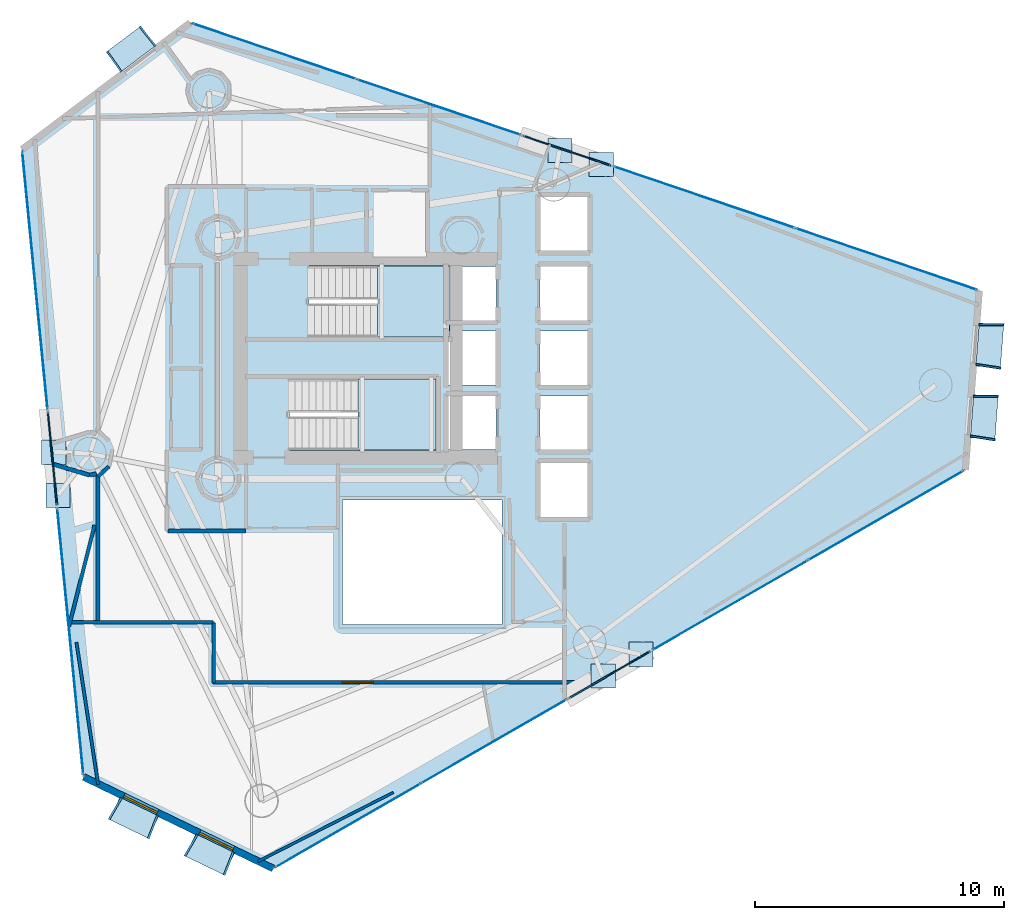
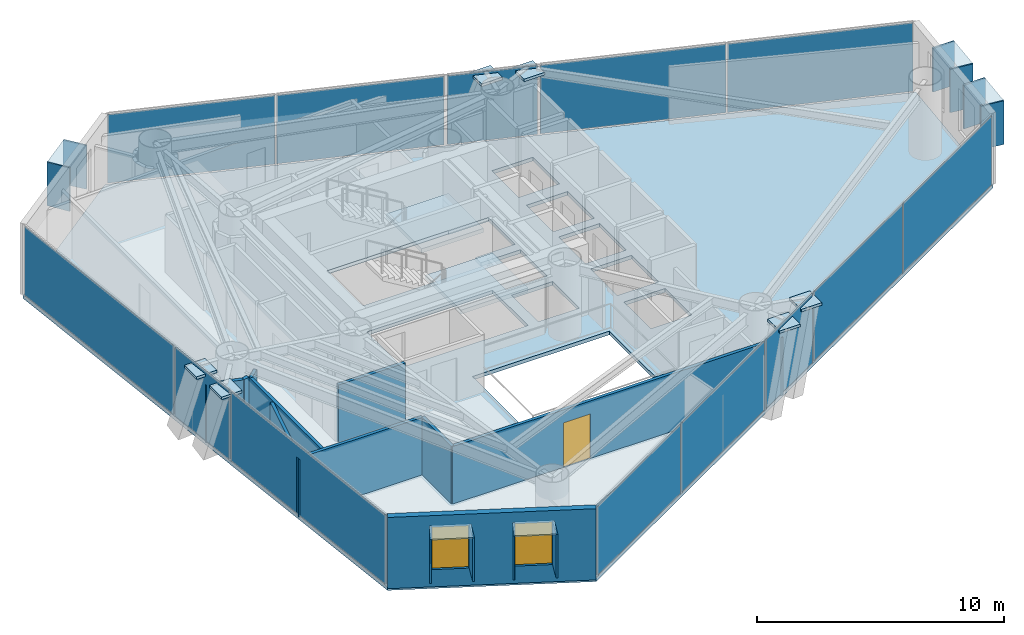
# One storey, part 17 of 22: 34 plates, 12 walls, 3 slabs, 2 windows, 1 door, 3 openings, 11 elements without a shape of their own.
"""IFC4 building model written with IfcOpenShell, lengths in metres."""

from ifc_helpers import new_model, si_unit, direction, frame, frame_2d, origin, origin_2d, place, context, subcontext, project, spatial, polyline, rectangle, outline, extrude, material, layer, layer_set, type_object, element, fill, aggregate, save


model = new_model("IFC4")

# Units and contexts
model_context = context("Model", 3, precision=1e-05, world=origin(), true_north=direction((0.0, 1.0)))
body_context = subcontext(model_context, "Body", "Model", "MODEL_VIEW")
ifc_project = project(units=[si_unit("LENGTHUNIT", "METRE"), si_unit("AREAUNIT", "SQUARE_METRE"), si_unit("VOLUMEUNIT", "CUBIC_METRE"), si_unit("PLANEANGLEUNIT", "RADIAN"), si_unit("MASSUNIT", "GRAM", prefix="KILO")], contexts=[model_context])

# Site, building, storey
site_placement = place(None, origin())
site = spatial("IfcSite", under=ifc_project, at=site_placement, CompositionType="ELEMENT")
building_placement = place(site_placement, origin())
building = spatial("IfcBuilding", under=site, at=building_placement, Name="Qianvela Tower", CompositionType="ELEMENT")
storey_placement = place(building_placement, frame((0.0, 0.0, 169.800048828125)))
storey = spatial("IfcBuildingStorey", under=building, at=storey_placement, Name="L43", CompositionType="ELEMENT", Elevation=169.800048828125)

# Curtain wall, plate
ifc_material_1 = material(Name="Anodised Architectural Aluminium and Insulated Spandrel Panel", Category="aluminium")
ifc_layer_1 = layer(ifc_material_1, 0.179931640625)
ifc_layer_set_1 = layer_set([ifc_layer_1], Name="Anodised Architectural Aluminium and Insulated Spandrel Panel")
curtain_wall_type_1 = type_object("IfcCurtainWallType", Name="CW-BRACEBAY", PredefinedType="USERDEFINED", material=ifc_layer_set_1)
curtain_wall_1_placement = place(storey_placement, origin())
curtain_wall_1 = element("IfcCurtainWall", 1, at=curtain_wall_1_placement, inside=storey, type_object=curtain_wall_type_1, Name="L43 CW-BRACEBAY Curtain Wall 02B", ObjectType="CURTAIN_WALL_SYSTEM", PredefinedType="USERDEFINED")
ifc_material_2 = material(Name="Insulated Aluminium Spandrel Panel with Mineral-Wool Backpan", Category="aluminium")
ifc_layer_2 = layer(ifc_material_2, 0.06005859375)
ifc_layer_set_2 = layer_set([ifc_layer_2], Name="Insulated Aluminium Spandrel Panel with Mineral-Wool Backpan")
plate_type_1 = type_object("IfcPlateType", Name="CW-BRACEBAY-PNL", PredefinedType="CURTAIN_PANEL", material=ifc_layer_set_2)
plate_1_placement = place(storey_placement, frame((42.6220703125, 37.033935546875, 0.06494140625), z_axis=(0.0, 0.0, 1.0), x_axis=(-0.946916144374, 0.321480661196, 0.0)))
plate_1 = element("IfcPlate", 2, at=plate_1_placement, type_object=plate_type_1, Name="CW-9 panel 1.1", PredefinedType="CURTAIN_PANEL", context=body_context, shape_type="SweptSolid", body=[
    extrude(rectangle(XDim=3.7099609375, YDim=0.06005859375, at=origin_2d()), origin(), (0.0, 0.0, 1.0), 3.389892578125),
])
aggregate(curtain_wall_1, [plate_1])

curtain_wall_2_placement = place(storey_placement, origin())
curtain_wall_2 = element("IfcCurtainWall", 3, at=curtain_wall_2_placement, inside=storey, type_object=curtain_wall_type_1, Name="L43 CW-BRACEBAY Curtain Wall 04B", ObjectType="CURTAIN_WALL_SYSTEM", PredefinedType="USERDEFINED")
plate_2_placement = place(storey_placement, frame((21.94482421875, 24.662353515625, 0.06494140625), z_axis=(0.0, 0.0, 1.0), x_axis=(0.097576930003, -0.995227985303, 0.0)))
plate_2 = element("IfcPlate", 4, at=plate_2_placement, type_object=plate_type_1, Name="CW-9 panel 1.1", PredefinedType="CURTAIN_PANEL", context=body_context, shape_type="SweptSolid", body=[
    extrude(rectangle(XDim=3.75, YDim=0.06005859375, at=origin_2d()), origin(), (0.0, 0.0, 1.0), 3.389892578125),
])
aggregate(curtain_wall_2, [plate_2])

curtain_wall_3_placement = place(storey_placement, origin())
curtain_wall_3 = element("IfcCurtainWall", 5, at=curtain_wall_3_placement, inside=storey, type_object=curtain_wall_type_1, Name="L43 CW-BRACEBAY Curtain Wall 06B", ObjectType="CURTAIN_WALL_SYSTEM", PredefinedType="USERDEFINED")
plate_3_placement = place(storey_placement, frame((44.33349609375, 15.978759765625, 0.06494140625), z_axis=(0.0, 0.0, 1.0), x_axis=(0.866442059259, 0.499277636137, 0.0)))
plate_3 = element("IfcPlate", 6, at=plate_3_placement, type_object=plate_type_1, Name="CW-9 panel 1.1", PredefinedType="CURTAIN_PANEL", context=body_context, shape_type="SweptSolid", body=[
    extrude(rectangle(XDim=3.75, YDim=0.06005859375, at=origin_2d()), origin(), (0.0, 0.0, 1.0), 3.389892578125),
])
aggregate(curtain_wall_3, [plate_3])

# Curtain wall, plates
ifc_material_3 = material(Name="Anodised Architectural Aluminium and Low-E Glass", Category="aluminium")
ifc_layer_3 = layer(ifc_material_3, 0.169921875)
ifc_layer_set_3 = layer_set([ifc_layer_3], Name="Anodised Architectural Aluminium and Low-E Glass")
curtain_wall_type_2 = type_object("IfcCurtainWallType", Name="CW-COLIV-Z34", PredefinedType="USERDEFINED", material=ifc_layer_set_3)
curtain_wall_4_placement = place(storey_placement, origin())
curtain_wall_4 = element("IfcCurtainWall", 7, at=curtain_wall_4_placement, inside=storey, type_object=curtain_wall_type_2, Name="L43 CW-COLIV-Z34 Curtain Wall 02A", ObjectType="CURTAIN_WALL_SYSTEM", PredefinedType="USERDEFINED")
ifc_material_4 = material(Name="Double-Silver Low-E Insulated Glass", Category="glass")
ifc_layer_4 = layer(ifc_material_4, 0.028076171875)
ifc_layer_set_4 = layer_set([ifc_layer_4], Name="Double-Silver Low-E Insulated Glass")
plate_type_2 = type_object("IfcPlateType", Name="CW-COLIV-Z34-PNL", PredefinedType="CURTAIN_PANEL", material=ifc_layer_set_4)
plate_4_placement = place(storey_placement, frame((55.44677734375, 32.6796875, 0.06494140625), z_axis=(0.0, 0.0, 1.0), x_axis=(-0.946913531124, 0.321488358379, 0.0)))
plate_4 = element("IfcPlate", 8, at=plate_4_placement, type_object=plate_type_2, Name="CW-4 panel 1.1", PredefinedType="CURTAIN_PANEL", context=body_context, shape_type="SweptSolid", body=[
    extrude(rectangle(XDim=7.66259765625, YDim=0.028076171875, at=origin_2d()), origin(), (0.0, 0.0, 1.0), 3.389892578125),
])
plate_5_placement = place(storey_placement, frame((48.129638671875, 35.1640625, 0.06494140625), z_axis=(0.0, 0.0, 1.0), x_axis=(-0.946913531124, 0.321488358379, 0.0)))
plate_5 = element("IfcPlate", 9, at=plate_5_placement, type_object=plate_type_2, Name="CW-4 panel 2.1", PredefinedType="CURTAIN_PANEL", context=body_context, shape_type="SweptSolid", body=[
    extrude(rectangle(XDim=7.66259765625, YDim=0.028076171875, at=origin_2d()), origin(), (0.0, 0.0, 1.0), 3.389892578125),
])
aggregate(curtain_wall_4, [plate_4, plate_5])

curtain_wall_5_placement = place(storey_placement, origin())
curtain_wall_5 = element("IfcCurtainWall", 10, at=curtain_wall_5_placement, inside=storey, type_object=curtain_wall_type_2, Name="L43 CW-COLIV-Z34 Curtain Wall 02C", ObjectType="CURTAIN_WALL_SYSTEM", PredefinedType="USERDEFINED")
plate_6_placement = place(storey_placement, frame((37.470703125, 38.78271484375, 0.06494140625), z_axis=(0.0, 0.0, 1.0), x_axis=(-0.946914951166, 0.321484175751, 0.0)))
plate_6 = element("IfcPlate", 11, at=plate_6_placement, type_object=plate_type_2, Name="CW-4 panel 1.1", PredefinedType="CURTAIN_PANEL", context=body_context, shape_type="SweptSolid", body=[
    extrude(rectangle(XDim=6.910400390625, YDim=0.028076171875, at=origin_2d()), origin(), (0.0, 0.0, 1.0), 3.389892578125),
])
plate_7_placement = place(storey_placement, frame((30.86572265625, 41.025146484375, 0.06494140625), z_axis=(0.0, 0.0, 1.0), x_axis=(-0.946914951166, 0.321484175751, 0.0)))
plate_7 = element("IfcPlate", 12, at=plate_7_placement, type_object=plate_type_2, Name="CW-4 panel 2.1", PredefinedType="CURTAIN_PANEL", context=body_context, shape_type="SweptSolid", body=[
    extrude(rectangle(XDim=6.910400390625, YDim=0.028076171875, at=origin_2d()), origin(), (0.0, 0.0, 1.0), 3.389892578125),
])
aggregate(curtain_wall_5, [plate_6, plate_7])

# Curtain wall, plate
curtain_wall_6_placement = place(storey_placement, origin())
curtain_wall_6 = element("IfcCurtainWall", 13, at=curtain_wall_6_placement, inside=storey, type_object=curtain_wall_type_2, Name="L43 CW-COLIV-Z34 Curtain Wall 04A", ObjectType="CURTAIN_WALL_SYSTEM", PredefinedType="USERDEFINED")
plate_8_placement = place(storey_placement, frame((21.24365234375, 31.813232421875, 0.06494140625), z_axis=(0.0, 0.0, 1.0), x_axis=(0.09758845694, -0.99522685508, 0.0)))
plate_8 = element("IfcPlate", 14, at=plate_8_placement, type_object=plate_type_2, Name="CW-4 panel 1.1", PredefinedType="CURTAIN_PANEL", context=body_context, shape_type="SweptSolid", body=[
    extrude(rectangle(XDim=10.35986328125, YDim=0.028076171875, at=origin_2d()), origin(), (0.0, 0.0, 1.0), 3.389892578125),
])
aggregate(curtain_wall_6, [plate_8])

curtain_wall_7_placement = place(storey_placement, origin())
curtain_wall_7 = element("IfcCurtainWall", 15, at=curtain_wall_7_placement, inside=storey, type_object=curtain_wall_type_2, Name="L43 CW-COLIV-Z34 Curtain Wall 04C", ObjectType="CURTAIN_WALL_SYSTEM", PredefinedType="USERDEFINED")
plate_9_placement = place(storey_placement, frame((22.6640625, 17.325927734375, 0.06494140625), z_axis=(0.0, 0.0, 1.0), x_axis=(0.097583223084, -0.995227368279, 0.0)))
plate_9 = element("IfcPlate", 16, at=plate_9_placement, type_object=plate_type_2, Name="CW-4 panel 1.1", PredefinedType="CURTAIN_PANEL", context=body_context, shape_type="SweptSolid", body=[
    extrude(rectangle(XDim=10.733642578125, YDim=0.028076171875, at=origin_2d()), origin(), (0.0, 0.0, 1.0), 3.389892578125),
])
aggregate(curtain_wall_7, [plate_9])

# Curtain wall, plates
curtain_wall_8_placement = place(storey_placement, origin())
curtain_wall_8 = element("IfcCurtainWall", 17, at=curtain_wall_8_placement, inside=storey, type_object=curtain_wall_type_2, Name="L43 CW-COLIV-Z34 Curtain Wall 06A", ObjectType="CURTAIN_WALL_SYSTEM", PredefinedType="USERDEFINED")
plate_10_placement = place(storey_placement, frame((33.822509765625, 9.921630859375, 0.06494140625), z_axis=(0.0, 0.0, 1.0), x_axis=(0.866436483711, 0.499287311771, 0.0)))
plate_10 = element("IfcPlate", 18, at=plate_10_placement, type_object=plate_type_2, Name="CW-4 panel 1.1", PredefinedType="CURTAIN_PANEL", context=body_context, shape_type="SweptSolid", body=[
    extrude(rectangle(XDim=6.70751953125, YDim=0.028076171875, at=origin_2d()), origin(), (0.0, 0.0, 1.0), 3.389892578125),
])
plate_11_placement = place(storey_placement, frame((39.690673828125, 13.30322265625, 0.06494140625), z_axis=(0.0, 0.0, 1.0), x_axis=(0.866436483711, 0.499287311771, 0.0)))
plate_11 = element("IfcPlate", 19, at=plate_11_placement, type_object=plate_type_2, Name="CW-4 panel 2.1", PredefinedType="CURTAIN_PANEL", context=body_context, shape_type="SweptSolid", body=[
    extrude(rectangle(XDim=6.70751953125, YDim=0.028076171875, at=origin_2d()), origin(), (0.0, 0.0, 1.0), 3.389892578125),
])
aggregate(curtain_wall_8, [plate_10, plate_11])

curtain_wall_9_placement = place(storey_placement, origin())
curtain_wall_9 = element("IfcCurtainWall", 20, at=curtain_wall_9_placement, inside=storey, type_object=curtain_wall_type_2, Name="L43 CW-COLIV-Z34 Curtain Wall 06C", ObjectType="CURTAIN_WALL_SYSTEM", PredefinedType="USERDEFINED")
plate_12_placement = place(storey_placement, frame((49.1708984375, 18.76611328125, 0.06494140625), z_axis=(0.0, 0.0, 1.0), x_axis=(0.866434968785, 0.499289940682, 0.0)))
plate_12 = element("IfcPlate", 21, at=plate_12_placement, type_object=plate_type_2, Name="CW-4 panel 1.1", PredefinedType="CURTAIN_PANEL", context=body_context, shape_type="SweptSolid", body=[
    extrude(rectangle(XDim=7.156005859375, YDim=0.028076171875, at=origin_2d()), origin(), (0.0, 0.0, 1.0), 3.389892578125),
])
plate_13_placement = place(storey_placement, frame((55.42724609375, 22.37158203125, 0.06494140625), z_axis=(0.0, 0.0, 1.0), x_axis=(0.866434968785, 0.499289940682, 0.0)))
plate_13 = element("IfcPlate", 22, at=plate_13_placement, type_object=plate_type_2, Name="CW-4 panel 2.1", PredefinedType="CURTAIN_PANEL", context=body_context, shape_type="SweptSolid", body=[
    extrude(rectangle(XDim=7.156005859375, YDim=0.028076171875, at=origin_2d()), origin(), (0.0, 0.0, 1.0), 3.389892578125),
])
aggregate(curtain_wall_9, [plate_12, plate_13])

# Plates
ifc_material_5 = material(Name="Steel Q420GJC", Category="steel")
ifc_layer_5 = layer(ifc_material_5, 0.1298828125)
ifc_layer_set_5 = layer_set([ifc_layer_5], Name="Steel Q420GJC")
plate_type_3 = type_object("IfcPlateType", Name="PT-ENDCAP-130", PredefinedType="USERDEFINED", material=ifc_layer_set_5)
for number, where, z_axis, x_axis, name in (
    (23, (43.998291015625, 36.482177734375, 3.209716796875), (0.0, 0.0, 1.0), (1.0, 0.0, 0.0), "L43 Hollow Section End Cap Plate B"),
    (24, (42.3388671875, 37.04541015625, 3.209716796875), (0.0, 0.0, 1.0), (1.0, 0.0, 0.0), "L43 Hollow Section End Cap Plate B"),
    (25, (22.0, 24.917724609375, 3.20947265625), (0.0, 0.0, 1.0), (1.0, 0.0, 0.0), "L43 Hollow Section End Cap Plate B"),
    (26, (22.171142578125, 23.173583984375, 3.20947265625), (0.0, 0.0, 1.0), (1.0, 0.0, 0.0), "L43 Hollow Section End Cap Plate B"),
    (27, (44.076171875, 15.922607421875, 3.20947265625), (0.0, 0.0, 1.0), (1.0, 0.0, 0.0), "L43 Hollow Section End Cap Plate B"),
    (28, (45.5947265625, 16.7978515625, 3.20947265625), (0.0, 0.0, 1.0), (1.0, 0.0, 0.0), "L43 Hollow Section End Cap Plate B"),
):
    element("IfcPlate", number, at=place(storey_placement, frame(where, z_axis=z_axis, x_axis=x_axis)), inside=storey, type_object=plate_type_3, Name=name, ObjectType="END_CAP", PredefinedType="USERDEFINED", context=body_context, shape_type="SweptSolid", body=[
        extrude(rectangle(XDim=0.969970703125, YDim=0.969970703125, at=origin_2d()), origin(), (0.0, 0.0, 1.0), 0.1298828125),
    ])

# Slab
ifc_material_6 = material(Name="Concrete C40", Category="concrete")
ifc_layer_6 = layer(ifc_material_6, 0.179931640625)
ifc_layer_set_6 = layer_set([ifc_layer_6], Name="Concrete C40")
slab_type_1 = type_object("IfcSlabType", Name="SL-FLOOR-180", PredefinedType="FLOOR", material=ifc_layer_set_6)
slab_1_placement = place(storey_placement, frame((0.0, 0.0, -0.179931640625)))
element("IfcSlab", 29, at=slab_1_placement, inside=storey, type_object=slab_type_1, Name="L43 Composite Structural Floor Slab", PredefinedType="FLOOR", context=body_context, shape_type="SweptSolid", body=[
    extrude(outline(polyline([(58.626953125, 24.21533203125), (59.18359375, 31.410888671875), (27.485107421875, 42.173095703125), (20.726806640625, 37.0830078125), (23.19921875, 11.8701171875), (30.817138671875, 8.189697265625), (58.626953125, 24.21533203125)]), holes=[polyline([(40.0, 23.0), (33.60009765625, 23.0), (33.60009765625, 18.0), (40.0, 18.0), (40.0, 23.0)]), polyline([(39.760009765625, 27.179931640625), (37.840087890625, 27.179931640625), (37.840087890625, 25.02001953125), (39.760009765625, 25.02001953125), (39.760009765625, 27.179931640625)]), polyline([(37.35009765625, 27.860107421875), (31.469970703125, 27.860107421875), (31.469970703125, 25.0), (37.35009765625, 25.0), (37.35009765625, 27.860107421875)]), polyline([(37.840087890625, 27.6201171875), (39.760009765625, 27.6201171875), (39.760009765625, 29.780029296875), (37.89990234375, 29.780029296875), (37.89990234375, 30.219970703125), (39.760009765625, 30.219970703125), (39.760009765625, 32.3798828125), (37.89990234375, 32.3798828125), (37.89990234375, 32.39990234375), (32.25, 32.39990234375), (32.25, 29.5400390625), (37.840087890625, 29.5400390625), (37.840087890625, 27.6201171875)]), polyline([(43.4599609375, 22.320068359375), (43.4599609375, 24.47998046875), (41.5400390625, 24.47998046875), (41.5400390625, 22.320068359375), (43.4599609375, 22.320068359375)]), polyline([(43.4599609375, 25.02001953125), (43.4599609375, 27.179931640625), (41.5400390625, 27.179931640625), (41.5400390625, 25.02001953125), (43.4599609375, 25.02001953125)]), polyline([(43.4599609375, 29.780029296875), (41.5400390625, 29.780029296875), (41.5400390625, 27.6201171875), (43.4599609375, 27.6201171875), (43.4599609375, 29.780029296875)]), polyline([(43.4599609375, 30.219970703125), (43.4599609375, 32.3798828125), (41.5400390625, 32.3798828125), (41.5400390625, 30.219970703125), (43.4599609375, 30.219970703125)]), polyline([(43.4599609375, 33.02001953125), (43.4599609375, 35.179931640625), (41.5400390625, 35.179931640625), (41.5400390625, 33.02001953125), (43.4599609375, 33.02001953125)])]), origin(), (0.0, 0.0, 1.0), 0.179931640625),
])

# Stair, slab
ifc_material_7 = material(Name="Concrete C40", Category="concrete")
stair_type = type_object("IfcStairType", Name="ST-DOGLEG-1350-R168-N22", PredefinedType="HALF_TURN_STAIR", material=ifc_material_7)
stair_1_placement = place(storey_placement, origin())
stair_1 = element("IfcStair", 30, at=stair_1_placement, inside=storey, type_object=stair_type, Name="L43 Smoke-Proof Core Stair ST-1", PredefinedType="HALF_TURN_STAIR")
ifc_material_8 = material(Name="Concrete C40", Category="concrete")
ifc_layer_7 = layer(ifc_material_8, 0.199951171875)
ifc_layer_set_7 = layer_set([ifc_layer_7], Name="Concrete C40")
slab_type_2 = type_object("IfcSlabType", Name="SL-STAIR-LANDING-200", PredefinedType="LANDING", material=ifc_layer_set_7)
slab_2_placement = place(storey_placement, frame((0.0, 0.0, 1.64990234375)))
slab_2 = element("IfcSlab", 31, at=slab_2_placement, type_object=slab_type_2, Name="ST-1 landing 1", PredefinedType="LANDING", context=body_context, shape_type="SweptSolid", body=[
    extrude(outline(polyline([(35.0, 29.5400390625), (37.89990234375, 29.5400390625), (37.89990234375, 32.39990234375), (35.0, 32.39990234375), (35.0, 29.5400390625)])), origin(), (0.0, 0.0, 1.0), 0.199951171875),
])
aggregate(stair_1, [slab_2])

stair_2_placement = place(storey_placement, origin())
stair_2 = element("IfcStair", 32, at=stair_2_placement, inside=storey, type_object=stair_type, Name="L43 Smoke-Proof Core Stair ST-2", PredefinedType="HALF_TURN_STAIR")
slab_3_placement = place(storey_placement, frame((0.0, 0.0, 1.64990234375)))
slab_3 = element("IfcSlab", 33, at=slab_3_placement, type_object=slab_type_2, Name="ST-2 landing 1", PredefinedType="LANDING", context=body_context, shape_type="SweptSolid", body=[
    extrude(outline(polyline([(34.219970703125, 25.0), (37.35009765625, 25.0), (37.35009765625, 27.860107421875), (34.219970703125, 27.860107421875), (34.219970703125, 25.0)])), origin(), (0.0, 0.0, 1.0), 0.199951171875),
])
aggregate(stair_2, [slab_3])

# Plates
ifc_material_9 = material(Name="Vitrified Architectural Terracotta Panel", Category="masonry")
ifc_layer_8 = layer(ifc_material_9, 0.06494140625)
ifc_layer_set_8 = layer_set([ifc_layer_8], Name="Vitrified Architectural Terracotta Panel")
plate_type_4 = type_object("IfcPlateType", Name="TERRACOTTA-SUNSHADE-HOOD-FOLD-B", PredefinedType="USERDEFINED", material=ifc_layer_set_8)
plate_14_placement = place(storey_placement, frame((25.099609375, 41.12109375, 2.9599609375), z_axis=(0.0, 0.0, 1.0), x_axis=(-0.79878148733, -0.601621255857, 0.0)))
element("IfcPlate", 34, at=plate_14_placement, inside=storey, type_object=plate_type_4, Name="L43 Terracotta Sunshade Hood FOLD-B", ObjectType="SUNSHADE", PredefinedType="USERDEFINED", context=body_context, shape_type="SweptSolid", body=[
    extrude(rectangle(XDim=1.739990234375, YDim=0.989990234375, at=origin_2d()), origin(), (0.0, 0.0, 1.0), 0.06005859375),
])
ifc_material_10 = material(Name="Vitrified Architectural Terracotta Panel", Category="masonry")
ifc_layer_9 = layer(ifc_material_10, 0.074951171875)
ifc_layer_set_9 = layer_set([ifc_layer_9], Name="Vitrified Architectural Terracotta Panel")
plate_type_5 = type_object("IfcPlateType", Name="TERRACOTTA-SUNSHADE-HOOD-FOLD-D", PredefinedType="USERDEFINED", material=ifc_layer_set_9)
for number, where, z_axis, x_axis, name in (
    (35, (59.38720703125, 26.328125, 2.9599609375), (0.0, 0.0, 1.0), (0.077122744824, 0.997021605699, 0.0), "L43 Terracotta Sunshade Hood FOLD-D"),
    (36, (59.60986328125, 29.206298828125, 2.9599609375), (0.0, 0.0, 1.0), (0.077122744824, 0.997021605699, 0.0), "L43 Terracotta Sunshade Hood FOLD-D"),
    (37, (25.2255859375, 10.230224609375, 2.9599609375), (0.0, 0.0, 1.0), (0.900426610014, -0.435007953926, 0.0), "L43 Terracotta Sunshade Hood FOLD-D"),
    (38, (28.27294921875, 8.75830078125, 2.9599609375), (0.0, 0.0, 1.0), (0.900426610014, -0.435007953926, 0.0), "L43 Terracotta Sunshade Hood FOLD-D"),
):
    element("IfcPlate", number, at=place(storey_placement, frame(where, z_axis=z_axis, x_axis=x_axis)), inside=storey, type_object=plate_type_5, Name=name, ObjectType="SUNSHADE", PredefinedType="USERDEFINED", context=body_context, shape_type="SweptSolid", body=[
        extrude(rectangle(XDim=1.739990234375, YDim=0.989990234375, at=origin_2d()), origin(), (0.0, 0.0, 1.0), 0.06005859375),
    ])
ifc_material_11 = material(Name="Vitrified Architectural Terracotta Side Fin Panel", Category="masonry")
ifc_layer_10 = layer(ifc_material_11, 0.070068359375)
ifc_layer_set_10 = layer_set([ifc_layer_10], Name="Vitrified Architectural Terracotta Side Fin Panel")
plate_type_6 = type_object("IfcPlateType", Name="TERRACOTTA-SUNSHADE-STRUT-FOLD-B", PredefinedType="USERDEFINED", material=ifc_layer_set_10)
for number, where, z_axis, x_axis, name in (
    (39, (25.770751953125, 41.626708984375, 0.85009765625), (0.0, 0.0, 1.0), (-0.780036309655, -0.625734253193, 0.0), "L43 Terracotta Sunshade Side Fin HL FOLD-B"),
    (40, (24.4287109375, 40.615966796875, 0.85009765625), (0.0, 0.0, 1.0), (-0.816781546994, -0.576947055188, 0.0), "L43 Terracotta Sunshade Side Fin HR FOLD-B"),
):
    element("IfcPlate", number, at=place(storey_placement, frame(where, z_axis=z_axis, x_axis=x_axis)), inside=storey, type_object=plate_type_6, Name=name, ObjectType="SUNSHADE", PredefinedType="USERDEFINED", context=body_context, shape_type="SweptSolid", body=[
        extrude(rectangle(XDim=0.070068359375, YDim=1.010009765625, at=origin_2d()), origin(), (0.0, 0.0, 1.0), 2.159912109375),
    ])
ifc_material_12 = material(Name="Vitrified Architectural Terracotta Side Fin Panel", Category="masonry")
ifc_layer_11 = layer(ifc_material_12, 0.080078125)
ifc_layer_set_11 = layer_set([ifc_layer_11], Name="Vitrified Architectural Terracotta Side Fin Panel")
plate_type_7 = type_object("IfcPlateType", Name="TERRACOTTA-SUNSHADE-STRUT-FOLD-D", PredefinedType="USERDEFINED", material=ifc_layer_set_11)
for number, where, z_axis, x_axis, name in (
    (41, (59.322509765625, 25.49072265625, 0.85009765625), (0.0, 0.0, 1.0), (0.150798437442, 0.988564530653, 0.0), "L43 Terracotta Sunshade Side Fin HL FOLD-D"),
    (42, (59.451904296875, 27.165771484375, 0.85009765625), (0.0, 0.0, 1.0), (0.003022905661, 0.99999543101, 0.0), "L43 Terracotta Sunshade Side Fin HR FOLD-D"),
    (43, (59.545166015625, 28.368896484375, 0.85009765625), (0.0, 0.0, 1.0), (0.150798437442, 0.988564530653, 0.0), "L43 Terracotta Sunshade Side Fin HL FOLD-D"),
    (44, (59.674560546875, 30.0439453125, 0.85009765625), (0.0, 0.0, 1.0), (0.003022905661, 0.99999543101, 0.0), "L43 Terracotta Sunshade Side Fin HR FOLD-D"),
    (45, (24.46923828125, 10.595703125, 0.85009765625), (0.0, 0.0, 1.0), (0.865712820816, -0.500541019173, 0.0), "L43 Terracotta Sunshade Side Fin HL FOLD-D"),
    (46, (25.982177734375, 9.864990234375, 0.85009765625), (0.0, 0.0, 1.0), (0.930188386193, -0.367082505973, 0.0), "L43 Terracotta Sunshade Side Fin HR FOLD-D"),
    (47, (27.5166015625, 9.12353515625, 0.85009765625), (0.0, 0.0, 1.0), (0.865712820816, -0.500541019173, 0.0), "L43 Terracotta Sunshade Side Fin HL FOLD-D"),
    (48, (29.029296875, 8.392822265625, 0.85009765625), (0.0, 0.0, 1.0), (0.930188386193, -0.367082505973, 0.0), "L43 Terracotta Sunshade Side Fin HR FOLD-D"),
):
    element("IfcPlate", number, at=place(storey_placement, frame(where, z_axis=z_axis, x_axis=x_axis)), inside=storey, type_object=plate_type_7, Name=name, ObjectType="SUNSHADE", PredefinedType="USERDEFINED", context=body_context, shape_type="SweptSolid", body=[
        extrude(rectangle(XDim=0.080078125, YDim=1.010009765625, at=origin_2d()), origin(), (0.0, 0.0, 1.0), 2.159912109375),
    ])

# Wall, openings, windows
ifc_material_13 = material(Name="Terracotta Cladding on Concrete C40", Category="masonry")
ifc_layer_12 = layer(ifc_material_13, 0.280029296875)
ifc_layer_set_12 = layer_set([ifc_layer_12], Name="Terracotta Cladding on Concrete C40")
wall_type_1 = type_object("IfcWallType", Name="TERRACOTTA-WALL-280", PredefinedType="SOLIDWALL", material=ifc_layer_set_12)
wall_1_placement = place(storey_placement, frame((23.19921875, 11.8701171875, 0.0), z_axis=(0.0, 0.0, 1.0), x_axis=(0.90042186544, -0.435017774622, 0.0)))
wall_1 = element("IfcWall", 49, at=wall_1_placement, inside=storey, type_object=wall_type_1, Name="L43 Terracotta Chamfer Facet Wall 5", PredefinedType="SOLIDWALL", context=body_context, shape_type="SweptSolid", body=[
    extrude(rectangle(XDim=8.46044921875, YDim=0.280029296875, at=frame_2d((4.230224609375, 0.0))), origin(), (0.0, 0.0, 1.0), 3.52001953125),
])
opening_1_placement = place(wall_1_placement, frame((1.7880859375, 0.0, 0.85009765625)))
opening_1 = element("IfcOpeningElement", 50, at=opening_1_placement, cuts=wall_1, Name="Opening W-02", PredefinedType="OPENING", context=body_context, shape_type="SweptSolid", body=[
    extrude(rectangle(XDim=1.5, YDim=2.10009765625, at=frame_2d((0.75, 1.050048828125))), frame((0.0, 0.14990234375, 0.0), z_axis=(0.0, -1.0, 0.0), x_axis=(1.0, 0.0, 0.0)), (0.0, 0.0, 1.0), 0.300048828125),
])
opening_2_placement = place(wall_1_placement, frame((5.17236328125, 0.0, 0.85009765625)))
opening_2 = element("IfcOpeningElement", 51, at=opening_2_placement, cuts=wall_1, Name="Opening W-02", PredefinedType="OPENING", context=body_context, shape_type="SweptSolid", body=[
    extrude(rectangle(XDim=1.5, YDim=2.10009765625, at=frame_2d((0.75, 1.050048828125))), frame((0.0, 0.14990234375, 0.0), z_axis=(0.0, -1.0, 0.0), x_axis=(1.0, 0.0, 0.0)), (0.0, 0.0, 1.0), 0.300048828125),
])
ifc_material_14 = material(Name="Thermally Broken Aluminium and Low-E Glass", Category="aluminium")
window_type = type_object("IfcWindowType", Name="WIN-TC-1500x2100", PartitioningType="DOUBLE_PANEL_VERTICAL", PredefinedType="WINDOW", material=ifc_material_14)
window_1_placement = place(opening_1_placement, origin())
window_1 = element("IfcWindow", 52, at=window_1_placement, inside=storey, type_object=window_type, Name="L43 Chamfer Facet Window 5.1", OverallHeight=2.10009765625, OverallWidth=1.5, PartitioningType="SINGLE_PANEL", PredefinedType="WINDOW", context=body_context, shape_type="SweptSolid", body=[
    extrude(rectangle(XDim=1.5, YDim=2.10009765625, at=frame_2d((0.75, 1.050048828125))), frame((0.0, 0.030029296875, 0.0), z_axis=(0.0, -1.0, 0.0), x_axis=(1.0, 0.0, 0.0)), (0.0, 0.0, 1.0), 0.06005859375),
])
fill(opening_1, window_1)
window_2_placement = place(opening_2_placement, origin())
window_2 = element("IfcWindow", 53, at=window_2_placement, inside=storey, type_object=window_type, Name="L43 Chamfer Facet Window 5.2", OverallHeight=2.10009765625, OverallWidth=1.5, PartitioningType="SINGLE_PANEL", PredefinedType="WINDOW", context=body_context, shape_type="SweptSolid", body=[
    extrude(rectangle(XDim=1.5, YDim=2.10009765625, at=frame_2d((0.75, 1.050048828125))), frame((0.0, 0.030029296875, 0.0), z_axis=(0.0, -1.0, 0.0), x_axis=(1.0, 0.0, 0.0)), (0.0, 0.0, 1.0), 0.06005859375),
])
fill(opening_2, window_2)

# Wall
ifc_material_15 = material(Name="Fire-Rated Acoustic Gypsum Board")
ifc_layer_13 = layer(ifc_material_15, 0.14990234375)
ifc_layer_set_13 = layer_set([ifc_layer_13], Name="Fire-Rated Acoustic Gypsum Board")
wall_type_2 = type_object("IfcWallType", Name="WT-CORR-150", PredefinedType="PARTITIONING", material=ifc_layer_set_13)
wall_2_placement = place(storey_placement, frame((26.580078125, 21.7490234375, 0.0), z_axis=(0.0, 0.0, 1.0), x_axis=(1.0, 0.0, 0.0)))
element("IfcWall", 54, at=wall_2_placement, inside=storey, type_object=wall_type_2, Name="L43 Partition 58 seg 1", PredefinedType="PARTITIONING", context=body_context, shape_type="SweptSolid", body=[
    extrude(rectangle(XDim=3.119873046875, YDim=0.14990234375, at=frame_2d((1.56005859375, 0.0))), origin(), (0.0, 0.0, 1.0), 2.83984375),
])

# Wall, opening, door
wall_3_placement = place(storey_placement, frame((43.8369140625, 15.680908203125, 0.0), z_axis=(0.0, 0.0, 1.0), x_axis=(-1.0, 0.0, 0.0)))
wall_3 = element("IfcWall", 55, at=wall_3_placement, inside=storey, type_object=wall_type_2, Name="L43 Partition 61", PredefinedType="PARTITIONING", context=body_context, shape_type="SweptSolid", body=[
    extrude(rectangle(XDim=15.43701171875, YDim=0.14990234375, at=frame_2d((7.718505859375, 0.0))), origin(), (0.0, 0.0, 1.0), 2.83984375),
])
opening_3_placement = place(wall_3_placement, frame((8.99267578125, 0.0, 0.0)))
opening_3 = element("IfcOpeningElement", 56, at=opening_3_placement, cuts=wall_3, Name="Opening D-LG1", PredefinedType="OPENING", context=body_context, shape_type="SweptSolid", body=[
    extrude(rectangle(XDim=1.25, YDim=2.199951171875, at=frame_2d((0.625, 1.10009765625))), frame((0.0, 0.0849609375, 0.0), z_axis=(0.0, -1.0, 0.0), x_axis=(1.0, 0.0, 0.0)), (0.0, 0.0, 1.0), 0.169921875),
])
ifc_material_16 = material(Name="Anodised Aluminium Acoustic Glass Door", Category="aluminium")
door_type = type_object("IfcDoorType", Name="DT-LOUNGE-1250", OperationType="NOTDEFINED", PredefinedType="DOOR", material=ifc_material_16)
door_placement = place(opening_3_placement, origin())
door = element("IfcDoor", 57, at=door_placement, inside=storey, type_object=door_type, Name="L43 Door Tutorial Breakout Seminar L43-01 to L43 Floor Corridor", OperationType="SINGLE_SWING_RIGHT", OverallHeight=2.199951171875, OverallWidth=1.25, PredefinedType="DOOR", context=body_context, shape_type="SweptSolid", body=[
    extrude(rectangle(XDim=1.25, YDim=2.199951171875, at=frame_2d((0.625, 1.10009765625))), frame((0.0, 0.02490234375, 0.0), z_axis=(0.0, -1.0, 0.0), x_axis=(1.0, 0.0, 0.0)), (0.0, 0.0, 1.0), 0.050048828125),
])
fill(opening_3, door)

# Walls
wall_4_placement = place(storey_placement, frame((28.430908203125, 15.64990234375, 0.0), z_axis=(0.0, 0.0, 1.0), x_axis=(0.0, 1.0, 0.0)))
element("IfcWall", 58, at=wall_4_placement, inside=storey, type_object=wall_type_2, Name="L43 Partition 62", PredefinedType="PARTITIONING", context=body_context, shape_type="SweptSolid", body=[
    extrude(rectangle(XDim=2.400146484375, YDim=0.14990234375, at=frame_2d((1.2001953125, 0.0))), origin(), (0.0, 0.0, 1.0), 2.83984375),
])
wall_5_placement = place(storey_placement, frame((28.39990234375, 18.0810546875, 0.0), z_axis=(0.0, 0.0, 1.0), x_axis=(-1.0, 0.0, 0.0)))
element("IfcWall", 59, at=wall_5_placement, inside=storey, type_object=wall_type_2, Name="L43 Partition 63", PredefinedType="PARTITIONING", context=body_context, shape_type="SweptSolid", body=[
    extrude(rectangle(XDim=5.829833984375, YDim=0.14990234375, at=frame_2d((2.9150390625, 0.0))), origin(), (0.0, 0.0, 1.0), 2.83984375),
])
wall_6_placement = place(storey_placement, frame((23.781005859375, 18.050048828125, 0.0), z_axis=(0.0, 0.0, 1.0), x_axis=(0.0, 1.0, 0.0)))
element("IfcWall", 60, at=wall_6_placement, inside=storey, type_object=wall_type_2, Name="L43 Partition 64", PredefinedType="PARTITIONING", context=body_context, shape_type="SweptSolid", body=[
    extrude(rectangle(XDim=5.90625, YDim=0.14990234375, at=frame_2d((2.953125, 0.0))), origin(), (0.0, 0.0, 1.0), 2.83984375),
])
wall_7_placement = place(storey_placement, frame((23.77099609375, 23.93359375, 0.0), z_axis=(0.0, 0.0, 1.0), x_axis=(0.735475561179, 0.677551251868, 0.0)))
element("IfcWall", 61, at=wall_7_placement, inside=storey, type_object=wall_type_2, Name="L43 Partition 65", PredefinedType="PARTITIONING", context=body_context, shape_type="SweptSolid", body=[
    extrude(rectangle(XDim=0.598388671875, YDim=0.14990234375, at=frame_2d((0.29931640625, 0.0))), origin(), (0.0, 0.0, 1.0), 2.83984375),
])
ifc_material_17 = material(Name="Lightweight Gypsum Room Partition")
ifc_layer_14 = layer(ifc_material_17, 0.10498046875)
ifc_layer_set_14 = layer_set([ifc_layer_14], Name="Lightweight Gypsum Room Partition")
wall_type_3 = type_object("IfcWallType", Name="WT-PART-105", PredefinedType="PARTITIONING", material=ifc_layer_set_14)
wall_8_placement = place(storey_placement, frame((35.65087890625, 11.252197265625, 0.0), z_axis=(0.0, 0.0, 1.0), x_axis=(-0.890678474554, -0.454633759158, 0.0)))
element("IfcWall", 62, at=wall_8_placement, inside=storey, type_object=wall_type_3, Name="L43 Partition 72 seg 1", PredefinedType="PARTITIONING", context=body_context, shape_type="SweptSolid", body=[
    extrude(rectangle(XDim=6.120361328125, YDim=0.10498046875, at=frame_2d((3.06005859375, 0.0))), origin(), (0.0, 0.0, 1.0), 2.83984375),
])
ifc_material_18 = material(Name="Insulated Gypsum Stud Partition")
ifc_layer_15 = layer(ifc_material_18, 0.1201171875)
ifc_layer_set_15 = layer_set([ifc_layer_15], Name="Insulated Gypsum Stud Partition")
wall_type_4 = type_object("IfcWallType", Name="WT-PART-120", PredefinedType="PARTITIONING", material=ifc_layer_set_15)
wall_9_placement = place(storey_placement, frame((23.7822265625, 11.569580078125, 0.0), z_axis=(0.0, 0.0, 1.0), x_axis=(-0.151071893371, 0.988522778207, 0.0)))
element("IfcWall", 63, at=wall_9_placement, inside=storey, type_object=wall_type_4, Name="L43 Partition 74 seg 1", PredefinedType="PARTITIONING", context=body_context, shape_type="SweptSolid", body=[
    extrude(rectangle(XDim=5.7724609375, YDim=0.1201171875, at=frame_2d((2.88623046875, 0.0))), origin(), (0.0, 0.0, 1.0), 2.83984375),
])
ifc_material_19 = material(Name="Sanitary Service Chase Partition")
ifc_layer_16 = layer(ifc_material_19, 0.1650390625)
ifc_layer_set_16 = layer_set([ifc_layer_16], Name="Sanitary Service Chase Partition")
wall_type_5 = type_object("IfcWallType", Name="WT-PLUMB-165", PredefinedType="PLUMBINGWALL", material=ifc_layer_set_16)
wall_10_placement = place(storey_placement, frame((21.947509765625, 24.4462890625, 0.0), z_axis=(0.0, 0.0, 1.0), x_axis=(0.956928053229, -0.290325164158, 0.0)))
element("IfcWall", 64, at=wall_10_placement, inside=storey, type_object=wall_type_5, Name="L43 Partition 130", PredefinedType="PLUMBINGWALL", context=body_context, shape_type="SweptSolid", body=[
    extrude(rectangle(XDim=1.556640625, YDim=0.1650390625, at=frame_2d((0.7783203125, 0.0))), origin(), (0.0, 0.0, 1.0), 2.83984375),
])
wall_11_placement = place(storey_placement, frame((23.45361328125, 23.993896484375, 0.0), z_axis=(0.0, 0.0, 1.0), x_axis=(0.970196673826, 0.242318827366, 0.0)))
element("IfcWall", 65, at=wall_11_placement, inside=storey, type_object=wall_type_5, Name="L43 Partition 131", PredefinedType="PLUMBINGWALL", context=body_context, shape_type="SweptSolid", body=[
    extrude(rectangle(XDim=0.264892578125, YDim=0.1650390625, at=frame_2d((0.13232421875, 0.0))), origin(), (0.0, 0.0, 1.0), 2.83984375),
])
ifc_material_20 = material(Name="Acoustic Double Gypsum Stud Partition")
ifc_layer_17 = layer(ifc_material_20, 0.139892578125)
ifc_layer_set_17 = layer_set([ifc_layer_17], Name="Acoustic Double Gypsum Stud Partition")
wall_type_6 = type_object("IfcWallType", Name="WT-ROOM-140", PredefinedType="PARTITIONING", material=ifc_layer_set_17)
wall_12_placement = place(storey_placement, frame((23.638916015625, 21.990478515625, 0.0), z_axis=(0.0, 0.0, 1.0), x_axis=(-0.24461989364, -0.969619052843, 0.0)))
element("IfcWall", 66, at=wall_12_placement, inside=storey, type_object=wall_type_6, Name="L43 Partition 67", PredefinedType="PARTITIONING", context=body_context, shape_type="SweptSolid", body=[
    extrude(rectangle(XDim=4.2158203125, YDim=0.139892578125, at=frame_2d((2.10791015625, 0.0))), origin(), (0.0, 0.0, 1.0), 2.83984375),
])

save(model, "model.ifc")
